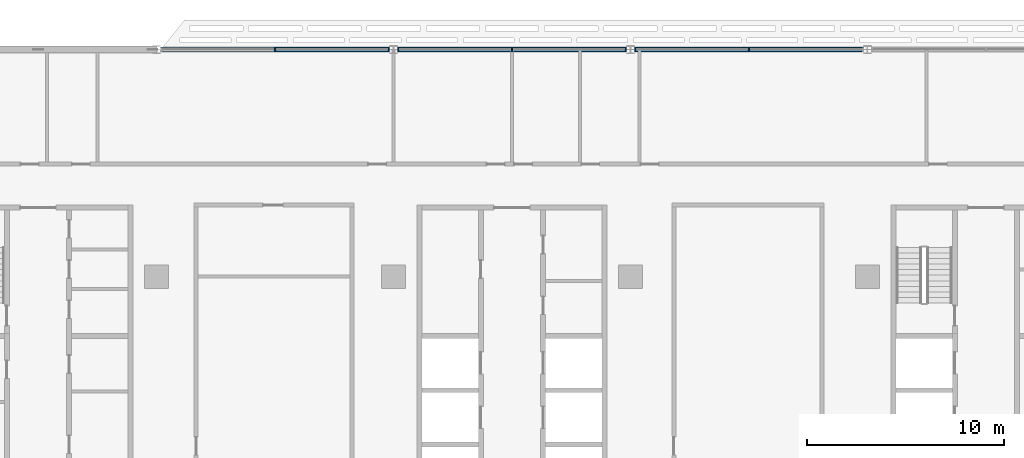
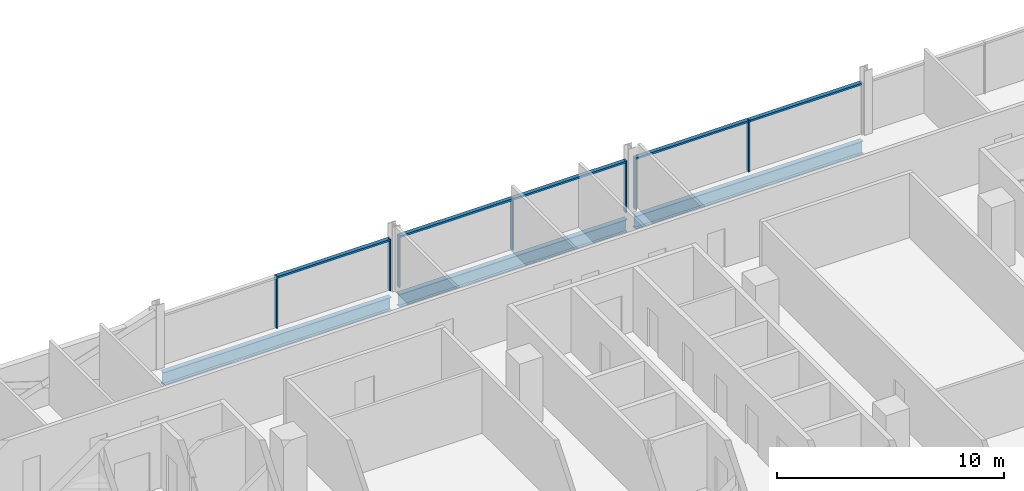
# One storey, part 7 of 27: 12 members, 3 beams, 3 elements without a shape of their own.
"""IFC4 building model written with IfcOpenShell, lengths in metres."""

import ifcopenshell
import ifcopenshell.guid

model = None  # the IFC model being written
_history = None  # IfcOwnerHistory: only IFC2X3 demands one
_inside = {}  # id of a spatial element -> (the spatial element, [elements in it])
_under = {}  # id of a project, library or spatial element -> (it, [spatial elements below it])
_declared = {}  # id of a project -> (the project, [libraries it declares])
_typed = {}  # id of a type object -> (the type object, [elements of that type])
_made_of = {}  # id of a material, layer set ... -> (it, [elements and type objects made of it])


def new_model(schema):
    """Start an empty IFC model of exactly this schema.

    Asked for "IFC4X3", IfcOpenShell would pick the latest addendum, in which some entities
    have other attributes; the version numbers below select the first issue.
    IFC2X3 requires an IfcOwnerHistory on every rooted entity: one is made here for all.
    """
    global model, _history
    if schema == "IFC4X3":
        model = ifcopenshell.file(schema_version=(4, 3, 0, 0))
    else:
        model = ifcopenshell.file(schema=schema)
    _inside.clear()
    _under.clear()
    _declared.clear()
    _typed.clear()
    _made_of.clear()
    _history = None
    if model.schema == "IFC2X3":
        org = make("IfcOrganization", Name="unknown")
        user = make(
            "IfcPersonAndOrganization",
            ThePerson=make("IfcPerson", FamilyName="unknown"),
            TheOrganization=org,
        )
        app = make(
            "IfcApplication",
            ApplicationDeveloper=org,
            Version="unknown",
            ApplicationFullName="unknown",
            ApplicationIdentifier="unknown",
        )
        _history = make(
            "IfcOwnerHistory",
            OwningUser=user,
            OwningApplication=app,
            ChangeAction="ADDED",
            CreationDate=0,
        )
    return model


def make(cls, **values):
    """One entity of the class cls with the attributes given. An attribute that is None is left unset."""
    return model.create_entity(
        cls, **{name: value for name, value in values.items() if value is not None}
    )


def rooted(cls, **values):
    """An entity with a GlobalId (a new one), such as an element, a storey or a relation."""
    return make(cls, GlobalId=ifcopenshell.guid.new(), OwnerHistory=_history, **values)


def si_unit(unit_type, name, prefix=None):
    """IfcSIUnit, for example si_unit("LENGTHUNIT", "METRE", prefix="MILLI")."""
    return make("IfcSIUnit", UnitType=unit_type, Prefix=prefix, Name=name)


def assignment(units):
    """IfcUnitAssignment: the units of a project."""
    return None if units is None else make("IfcUnitAssignment", Units=units)


def point(xyz):
    """IfcCartesianPoint."""
    return None if xyz is None else make("IfcCartesianPoint", Coordinates=xyz)


def direction(xyz):
    """IfcDirection."""
    return None if xyz is None else make("IfcDirection", DirectionRatios=xyz)


def frame(location, z_axis=None, x_axis=None):
    """IfcAxis2Placement3D, a coordinate frame: its origin and axes. An axis left out is left unset."""
    return make(
        "IfcAxis2Placement3D",
        Location=point(location),
        Axis=direction(z_axis),
        RefDirection=direction(x_axis),
    )


def frame_2d(location, x_axis=None):
    """IfcAxis2Placement2D, a coordinate frame in the plane: its origin and x axis."""
    return make(
        "IfcAxis2Placement2D", Location=point(location), RefDirection=direction(x_axis)
    )


def origin():
    """The frame at (0, 0, 0) with its axes left unset."""
    return frame((0.0, 0.0, 0.0))


def origin_2d():
    """The frame at (0, 0) in the plane with its x axis left unset."""
    return frame_2d((0.0, 0.0))


def place(relative_to, where):
    """IfcLocalPlacement: puts the frame where relative to a parent placement (None: the world)."""
    return make(
        "IfcLocalPlacement", PlacementRelTo=relative_to, RelativePlacement=where
    )


def context(
    kind, dimensions, precision=None, world=None, true_north=None, identifier=None
):
    """IfcGeometricRepresentationContext, for example the 3D "Model" context."""
    return make(
        "IfcGeometricRepresentationContext",
        ContextIdentifier=identifier,
        ContextType=kind,
        CoordinateSpaceDimension=dimensions,
        Precision=precision,
        WorldCoordinateSystem=world,
        TrueNorth=true_north,
    )


def subcontext(parent, identifier, kind, view, scale=None):
    """IfcGeometricRepresentationSubContext, for example "Body" below "Model"."""
    return make(
        "IfcGeometricRepresentationSubContext",
        ContextIdentifier=identifier,
        ContextType=kind,
        ParentContext=parent,
        TargetScale=scale,
        TargetView=view,
    )


def project(units=None, contexts=None):
    """IfcProject with its units and contexts."""
    return rooted(
        "IfcProject",
        Name="project",
        RepresentationContexts=contexts,
        UnitsInContext=assignment(units),
    )


def spatial(cls, under=None, at=None, **own):
    """A site, building, storey or space (cls), placed at a placement, below another one or the project."""
    s = rooted(cls, ObjectPlacement=at, **own)
    if under is not None:
        _under.setdefault(under.id(), (under, []))[1].append(s)
    return s


def profile(cls, at=None, kind="AREA", **sizes):
    """A parametric profile (cls). Its sizes go by their IFC names, for example OverallWidth=200.0."""
    return make(cls, ProfileType=kind, Position=at, **sizes)


def rectangle(**sizes):
    """IfcRectangleProfileDef."""
    return profile("IfcRectangleProfileDef", **sizes)


def i_section(**sizes):
    """IfcIShapeProfileDef."""
    return profile("IfcIShapeProfileDef", **sizes)


def extrude(swept, where, along, depth):
    """IfcExtrudedAreaSolid: the profile swept, set in the frame where, extruded along a direction by depth."""
    return make(
        "IfcExtrudedAreaSolid",
        SweptArea=swept,
        Position=where,
        ExtrudedDirection=direction(along),
        Depth=depth,
    )


def shape(context_of_items, identifier, shape_type, items):
    """IfcShapeRepresentation: the items that make up one representation, for example the "Body"."""
    return make(
        "IfcShapeRepresentation",
        ContextOfItems=context_of_items,
        RepresentationIdentifier=identifier,
        RepresentationType=shape_type,
        Items=items,
    )


def material(Name=None, Category=None):
    """IfcMaterial."""
    return make("IfcMaterial", Name=Name, Category=Category)


def material_profile(
    of_material, cross_section, Name=None, Category=None, Priority=None
):
    """IfcMaterialProfile: a cross section and its material."""
    return make(
        "IfcMaterialProfile",
        Name=Name,
        Material=of_material,
        Profile=cross_section,
        Priority=Priority,
        Category=Category,
    )


def profile_set(profiles, Name=None, composite=None):
    """IfcMaterialProfileSet."""
    return make(
        "IfcMaterialProfileSet",
        Name=Name,
        MaterialProfiles=profiles,
        CompositeProfile=composite,
    )


def made_of(thing, what):
    """Note that an element or type object is made of a material, layer set ...; save() writes the relation."""
    if what is not None:
        _made_of.setdefault(what.id(), (what, []))[1].append(thing)
    return thing


def type_object(cls, material=None, **own):
    """A type object (cls), such as IfcWallType, which elements share."""
    return made_of(rooted(cls, **own), material)


def element(
    cls,
    number,
    at=None,
    inside=None,
    cuts=None,
    type_object=None,
    material=None,
    context=None,
    identifier="Body",
    shape_type=None,
    held_by="IfcProductDefinitionShape",
    body=None,
    shapes=None,
    **own,
):
    """One element of the class cls, such as IfcWall. Its Tag is "e" and its number.

    at: its placement. inside: the storey or other place that contains it. cuts: it is an
    opening in that element (IfcRelVoidsElement). A single representation is given by context,
    identifier, shape_type and body (its items); several are given by shapes. held_by: the class
    of the entity that holds the representations. save() writes the other relations.
    """
    e = rooted(cls, Tag="e%d" % number, ObjectPlacement=at, **own)
    if body is not None:
        shapes = [shape(context, identifier, shape_type, body)]
    if shapes is not None:
        e.Representation = make(held_by, Representations=shapes)
    if inside is not None:
        _inside.setdefault(inside.id(), (inside, []))[1].append(e)
    if cuts is not None:
        rooted(
            "IfcRelVoidsElement", RelatingBuildingElement=cuts, RelatedOpeningElement=e
        )
    if type_object is not None:
        _typed.setdefault(type_object.id(), (type_object, []))[1].append(e)
    return made_of(e, material)


def aggregate(whole, parts):
    """IfcRelAggregates: a whole, such as a stair, and the parts it consists of."""
    return rooted("IfcRelAggregates", RelatingObject=whole, RelatedObjects=parts)


def save(model, path):
    """Write the relations noted so far, then the file.

    IfcRelAggregates (storeys below a building ...), IfcRelContainedInSpatialStructure (elements
    in a storey), IfcRelDefinesByType, IfcRelAssociatesMaterial and IfcRelDeclares: one each for
    every whole, place, type object, material and project.
    """
    for whole, parts in _under.values():
        aggregate(whole, parts)
    for where, things in _inside.values():
        rooted(
            "IfcRelContainedInSpatialStructure",
            RelatedElements=things,
            RelatingStructure=where,
        )
    for kind, things in _typed.values():
        rooted("IfcRelDefinesByType", RelatedObjects=things, RelatingType=kind)
    for what, things in _made_of.values():
        rooted("IfcRelAssociatesMaterial", RelatedObjects=things, RelatingMaterial=what)
    for by, libraries in _declared.values():
        rooted("IfcRelDeclares", RelatingContext=by, RelatedDefinitions=libraries)
    model.write(path)


model = new_model("IFC4")

# Units and contexts
model_context = context("Model", 3, precision=1e-05, world=origin(), true_north=direction((0.0, 1.0)))
body_context = subcontext(model_context, "Body", "Model", "MODEL_VIEW")
ifc_project = project(units=[si_unit("LENGTHUNIT", "METRE"), si_unit("AREAUNIT", "SQUARE_METRE"), si_unit("VOLUMEUNIT", "CUBIC_METRE"), si_unit("PLANEANGLEUNIT", "RADIAN"), si_unit("MASSUNIT", "GRAM", prefix="KILO")], contexts=[model_context])

# Site, building, storey
site_placement = place(None, origin())
site = spatial("IfcSite", under=ifc_project, at=site_placement, CompositionType="ELEMENT")
building_placement = place(site_placement, origin())
building = spatial("IfcBuilding", under=site, at=building_placement, Name="Mahtab Terrace Research Tower", CompositionType="ELEMENT")
storey_placement = place(building_placement, frame((0.0, 0.0, 178.199951171875)))
storey = spatial("IfcBuildingStorey", under=building, at=storey_placement, Name="L42", CompositionType="ELEMENT", Elevation=178.199951171875)

# Curtain wall, members
ifc_material_1 = material(Name="Laboratory ribbon curtain wall")
curtain_wall_type = type_object("IfcCurtainWallType", Name="Laboratory ribbon curtain wall", PredefinedType="NOTDEFINED", material=ifc_material_1)
curtain_wall_1_placement = place(storey_placement, origin())
curtain_wall_1 = element("IfcCurtainWall", 1, at=curtain_wall_1_placement, inside=storey, type_object=curtain_wall_type, Name="EN.L42.3.5", PredefinedType="NOTDEFINED")
ifc_material_2 = material(Name="Natural anodised aluminium", Category="aluminium")
ifc_material_profile_1 = material_profile(ifc_material_2, rectangle(XDim=0.199951171875, YDim=0.06494140625, at=origin_2d()), Name="MULLION 65x200")
ifc_profile_set_1 = profile_set([ifc_material_profile_1], Name="Natural anodised aluminium")
member_type_1 = type_object("IfcMemberType", Name="Laboratory ribbon curtain wall mullion", PredefinedType="MULLION", material=ifc_profile_set_1)
member_1_placement = place(storey_placement, frame((12.0, 23.0, 0.0), z_axis=(0.0, 0.0, 1.0), x_axis=(0.0, -1.0, 0.0)))
member_1 = element("IfcMember", 2, at=member_1_placement, type_object=member_type_1, Name="CWL-5 mullion 2", PredefinedType="MULLION", context=body_context, shape_type="SweptSolid", body=[
    extrude(rectangle(XDim=0.199951171875, YDim=0.06494140625, at=origin_2d()), origin(), (0.0, 0.0, 1.0), 2.78173828125),
])
member_2_placement = place(storey_placement, frame((6.240478515625, 23.0, 0.0), z_axis=(0.0, 0.0, 1.0), x_axis=(0.0, -1.0, 0.0)))
member_2 = element("IfcMember", 3, at=member_2_placement, type_object=member_type_1, Name="CWL-5 mullion 3", PredefinedType="MULLION", context=body_context, shape_type="SweptSolid", body=[
    extrude(rectangle(XDim=0.199951171875, YDim=0.06494140625, at=origin_2d()), origin(), (0.0, 0.0, 1.0), 2.78173828125),
])

curtain_wall_2_placement = place(storey_placement, origin())
curtain_wall_2 = element("IfcCurtainWall", 4, at=curtain_wall_2_placement, inside=storey, type_object=curtain_wall_type, Name="EN.L42.3.6", PredefinedType="NOTDEFINED")
member_3_placement = place(storey_placement, frame((5.759521484375, 23.0, 0.0), z_axis=(0.0, 0.0, 1.0), x_axis=(0.0, -1.0, 0.0)))
member_3 = element("IfcMember", 5, at=member_3_placement, type_object=member_type_1, Name="CWL-5 mullion 1", PredefinedType="MULLION", context=body_context, shape_type="SweptSolid", body=[
    extrude(rectangle(XDim=0.199951171875, YDim=0.06494140625, at=origin_2d()), origin(), (0.0, 0.0, 1.0), 2.78173828125),
])
member_4_placement = place(storey_placement, frame((0.0, 23.0, 0.0), z_axis=(0.0, 0.0, 1.0), x_axis=(0.0, -1.0, 0.0)))
member_4 = element("IfcMember", 6, at=member_4_placement, type_object=member_type_1, Name="CWL-5 mullion 2", PredefinedType="MULLION", context=body_context, shape_type="SweptSolid", body=[
    extrude(rectangle(XDim=0.199951171875, YDim=0.06494140625, at=origin_2d()), origin(), (0.0, 0.0, 1.0), 2.78173828125),
])
member_5_placement = place(storey_placement, frame((-5.759521484375, 23.0, 0.0), z_axis=(0.0, 0.0, 1.0), x_axis=(0.0, -1.0, 0.0)))
member_5 = element("IfcMember", 7, at=member_5_placement, type_object=member_type_1, Name="CWL-5 mullion 3", PredefinedType="MULLION", context=body_context, shape_type="SweptSolid", body=[
    extrude(rectangle(XDim=0.199951171875, YDim=0.06494140625, at=origin_2d()), origin(), (0.0, 0.0, 1.0), 2.78173828125),
])

curtain_wall_3_placement = place(storey_placement, origin())
curtain_wall_3 = element("IfcCurtainWall", 8, at=curtain_wall_3_placement, inside=storey, type_object=curtain_wall_type, Name="EN.L42.3.7", PredefinedType="NOTDEFINED")
member_6_placement = place(storey_placement, frame((-6.240478515625, 23.0, 0.0), z_axis=(0.0, 0.0, 1.0), x_axis=(0.0, -1.0, 0.0)))
member_6 = element("IfcMember", 9, at=member_6_placement, type_object=member_type_1, Name="CWL-5 mullion 1", PredefinedType="MULLION", context=body_context, shape_type="SweptSolid", body=[
    extrude(rectangle(XDim=0.199951171875, YDim=0.06494140625, at=origin_2d()), origin(), (0.0, 0.0, 1.0), 2.78173828125),
])
member_7_placement = place(storey_placement, frame((-12.0, 23.0, 0.0), z_axis=(0.0, 0.0, 1.0), x_axis=(0.0, -1.0, 0.0)))
member_7 = element("IfcMember", 10, at=member_7_placement, type_object=member_type_1, Name="CWL-5 mullion 2", PredefinedType="MULLION", context=body_context, shape_type="SweptSolid", body=[
    extrude(rectangle(XDim=0.199951171875, YDim=0.06494140625, at=origin_2d()), origin(), (0.0, 0.0, 1.0), 2.78173828125),
])

# Member
ifc_material_profile_2 = material_profile(ifc_material_2, rectangle(XDim=0.199951171875, YDim=0.10009765625, at=origin_2d()), Name="TRANSOM 100x200")
ifc_profile_set_2 = profile_set([ifc_material_profile_2], Name="Natural anodised aluminium")
member_type_2 = type_object("IfcMemberType", Name="Laboratory ribbon curtain wall transom", PredefinedType="USERDEFINED", material=ifc_profile_set_2)
member_8_placement = place(storey_placement, frame((17.72705078125, 23.0, 2.73193359375), z_axis=(-1.0, 0.0, 0.0), x_axis=(0.0, -1.0, 0.0)))
member_8 = element("IfcMember", 11, at=member_8_placement, type_object=member_type_2, Name="CWL-5 transom 1", ObjectType="TRANSOM", PredefinedType="USERDEFINED", context=body_context, shape_type="SweptSolid", body=[
    extrude(rectangle(XDim=0.199951171875, YDim=0.10009765625, at=origin_2d()), origin(), (0.0, 0.0, 1.0), 5.694580078125),
])

member_9_placement = place(storey_placement, frame((11.967529296875, 23.0, 2.73193359375), z_axis=(-1.0, 0.0, 0.0), x_axis=(0.0, -1.0, 0.0)))
member_9 = element("IfcMember", 12, at=member_9_placement, type_object=member_type_2, Name="CWL-5 transom 2", ObjectType="TRANSOM", PredefinedType="USERDEFINED", context=body_context, shape_type="SweptSolid", body=[
    extrude(rectangle(XDim=0.199951171875, YDim=0.10009765625, at=origin_2d()), origin(), (0.0, 0.0, 1.0), 5.694580078125),
])

aggregate(curtain_wall_1, [member_1, member_2, member_8, member_9])

member_10_placement = place(storey_placement, frame((5.72705078125, 23.0, 2.73193359375), z_axis=(-1.0, 0.0, 0.0), x_axis=(0.0, -1.0, 0.0)))
member_10 = element("IfcMember", 13, at=member_10_placement, type_object=member_type_2, Name="CWL-5 transom 1", ObjectType="TRANSOM", PredefinedType="USERDEFINED", context=body_context, shape_type="SweptSolid", body=[
    extrude(rectangle(XDim=0.199951171875, YDim=0.10009765625, at=origin_2d()), origin(), (0.0, 0.0, 1.0), 5.694580078125),
])

member_11_placement = place(storey_placement, frame((-0.032470703125, 23.0, 2.73193359375), z_axis=(-1.0, 0.0, 0.0), x_axis=(0.0, -1.0, 0.0)))
member_11 = element("IfcMember", 14, at=member_11_placement, type_object=member_type_2, Name="CWL-5 transom 2", ObjectType="TRANSOM", PredefinedType="USERDEFINED", context=body_context, shape_type="SweptSolid", body=[
    extrude(rectangle(XDim=0.199951171875, YDim=0.10009765625, at=origin_2d()), origin(), (0.0, 0.0, 1.0), 5.694580078125),
])

aggregate(curtain_wall_2, [member_3, member_4, member_5, member_10, member_11])

member_12_placement = place(storey_placement, frame((-6.27294921875, 23.0, 2.73193359375), z_axis=(-1.0, 0.0, 0.0), x_axis=(0.0, -1.0, 0.0)))
member_12 = element("IfcMember", 15, at=member_12_placement, type_object=member_type_2, Name="CWL-5 transom 1", ObjectType="TRANSOM", PredefinedType="USERDEFINED", context=body_context, shape_type="SweptSolid", body=[
    extrude(rectangle(XDim=0.199951171875, YDim=0.10009765625, at=origin_2d()), origin(), (0.0, 0.0, 1.0), 5.694580078125),
])

aggregate(curtain_wall_3, [member_6, member_7, member_12])

# Beams
ifc_material_3 = material(Name="Steel ASTM A992 Gr 50", Category="steel")
ifc_material_profile_3 = material_profile(ifc_material_3, i_section(OverallWidth=0.25390625, OverallDepth=0.67822265625, WebThickness=0.01171875, FlangeThickness=0.016357421875, at=origin_2d()), Name="W27X84")
ifc_profile_set_3 = profile_set([ifc_material_profile_3], Name="Steel ASTM A992 Gr 50")
beam_type = type_object("IfcBeamType", Name="W27x84 beam BS2784", PredefinedType="BEAM", material=ifc_profile_set_3)
for number, where, z_axis, x_axis, name in (
    (16, (17.796875, 23.0, -0.678955078125), (-1.0, 0.0, 0.0), (0.0, -1.0, 0.0), "Spandrel beam L42 03"),
    (17, (5.796875, 23.0, -0.678955078125), (-1.0, 0.0, 0.0), (0.0, -1.0, 0.0), "Spandrel beam L42 04"),
    (18, (-6.203125, 23.0, -0.678955078125), (-1.0, 0.0, 0.0), (0.0, -1.0, 0.0), "Spandrel beam L42 05"),
):
    element("IfcBeam", number, at=place(storey_placement, frame(where, z_axis=z_axis, x_axis=x_axis)), inside=storey, type_object=beam_type, Name=name, PredefinedType="BEAM", context=body_context, shape_type="SweptSolid", body=[
        extrude(i_section(OverallWidth=0.25390625, OverallDepth=0.67822265625, WebThickness=0.01171875, FlangeThickness=0.016357421875, at=origin_2d()), origin(), (0.0, 0.0, 1.0), 11.59375),
    ])

save(model, "model.ifc")
